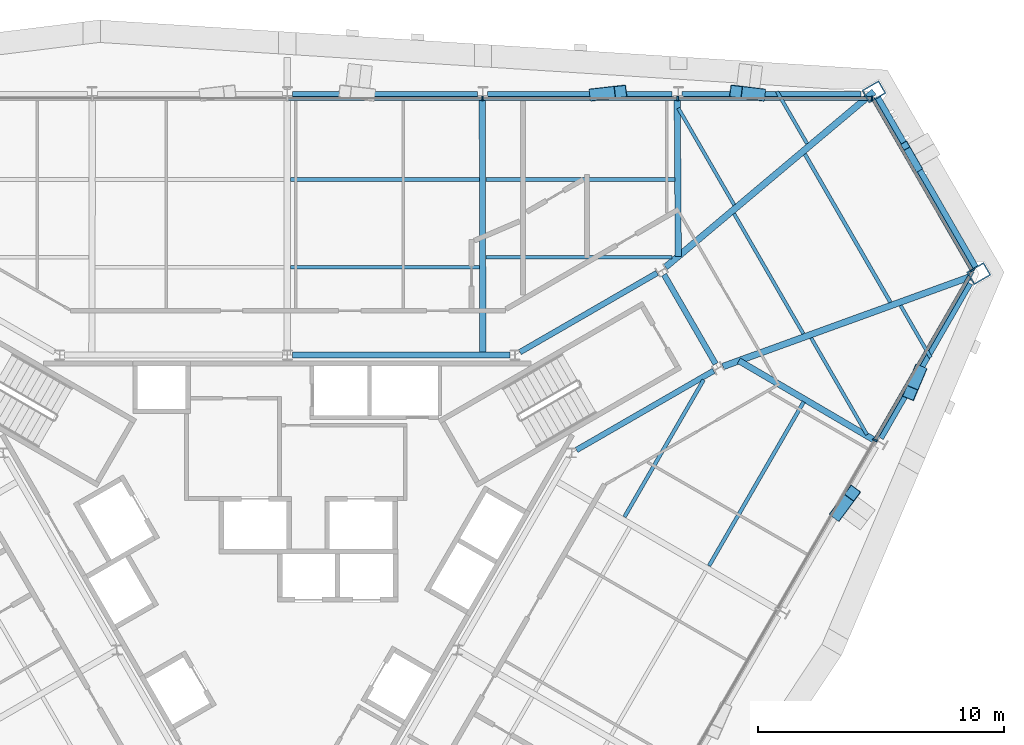
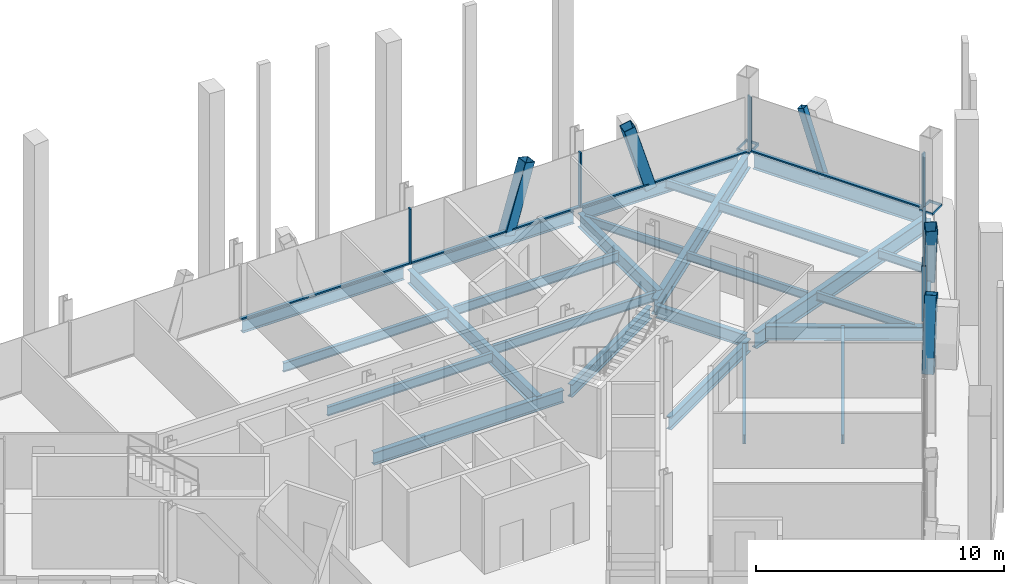
# One storey, part 8 of 15: 26 beams, 17 members, 3 elements without a shape of their own.
"""IFC4 building model written with IfcOpenShell, lengths in metres."""

from ifc_helpers import new_model, si_unit, direction, frame, origin, origin_2d, place, context, subcontext, project, spatial, rectangle, hollow_rectangle, i_section, extrude, material, material_profile, profile_set, type_object, element, aggregate, save


model = new_model("IFC4")

# Units and contexts
model_context = context("Model", 3, precision=1e-05, world=origin(), true_north=direction((0.0, 1.0)))
body_context = subcontext(model_context, "Body", "Model", "MODEL_VIEW")
ifc_project = project(units=[si_unit("LENGTHUNIT", "METRE"), si_unit("AREAUNIT", "SQUARE_METRE"), si_unit("VOLUMEUNIT", "CUBIC_METRE"), si_unit("PLANEANGLEUNIT", "RADIAN"), si_unit("MASSUNIT", "GRAM", prefix="KILO")], contexts=[model_context])

# Site, building, storey
site_placement = place(None, origin())
site = spatial("IfcSite", under=ifc_project, at=site_placement, CompositionType="ELEMENT")
building_placement = place(site_placement, origin())
building = spatial("IfcBuilding", under=site, at=building_placement, Name="Verrane Prism Tower", CompositionType="ELEMENT")
storey_placement = place(building_placement, frame((0.0, 0.0, 189.5)))
storey = spatial("IfcBuildingStorey", under=building, at=storey_placement, Name="L47", CompositionType="ELEMENT", Elevation=189.5)

# Member
ifc_material_1 = material(Name="Steel A500 Grade C", Category="steel")
ifc_material_profile_1 = material_profile(ifc_material_1, hollow_rectangle(XDim=0.3046875, YDim=0.3046875, WallThickness=0.0126953125, InnerFilletRadius=0.00634765625, OuterFilletRadius=0.01904296875, at=origin_2d()), Name="HSS12x12x1/2")
ifc_profile_set_1 = profile_set([ifc_material_profile_1], Name="Steel A500 Grade C")
member_type_1 = type_object("IfcMemberType", Name="Chamfer brace HSS12x12x1/2", PredefinedType="BRACE", material=ifc_profile_set_1)
member_1_placement = place(storey_placement, frame((25.64111328125, 15.623046875, -0.24267578125), z_axis=(-0.156499627931, 0.271375427269, 0.949664806093), x_axis=(-0.866272785837, -0.499571276714, 0.0)))
element("IfcMember", 1, at=member_1_placement, inside=storey, type_object=member_type_1, Name="Chamfer brace NE0 L47", PredefinedType="BRACE", context=body_context, shape_type="SweptSolid", body=[
    extrude(hollow_rectangle(XDim=0.3046875, YDim=0.3046875, WallThickness=0.0126953125, InnerFilletRadius=0.00634765625, OuterFilletRadius=0.01904296875, at=origin_2d()), origin(), (0.0, 0.0, 1.0), 3.27294921875),
])

# Beams
ifc_material_2 = material(Name="Steel A992", Category="steel")
ifc_material_profile_2 = material_profile(ifc_material_2, i_section(OverallWidth=0.2666015625, OverallDepth=0.7568359375, WebThickness=0.013916015625, FlangeThickness=0.019287109375, FilletRadius=0.0166015625, at=origin_2d()), Name="W30x108")
ifc_profile_set_2 = profile_set([ifc_material_profile_2], Name="Steel A992")
beam_type_1 = type_object("IfcBeamType", Name="Chamfer spandrel beam W30x108", PredefinedType="SPANDREL", material=ifc_profile_set_2)
beam_1_placement = place(storey_placement, frame((27.97998046875, 11.56982421875, -0.53857421875), z_axis=(-0.499772118917, 0.86615693102, 0.0), x_axis=(-0.86615693102, -0.499772118917, 0.0)))
element("IfcBeam", 2, at=beam_1_placement, inside=storey, type_object=beam_type_1, Name="Chamfer spandrel beam L47", PredefinedType="SPANDREL", context=body_context, shape_type="SweptSolid", body=[
    extrude(i_section(OverallWidth=0.2666015625, OverallDepth=0.7568359375, WebThickness=0.013916015625, FlangeThickness=0.019287109375, FilletRadius=0.0166015625, at=origin_2d()), origin(), (0.0, 0.0, 1.0), 7.943603515625),
])
ifc_material_3 = material(Name="Steel A992", Category="steel")
ifc_material_profile_3 = material_profile(ifc_material_3, i_section(OverallWidth=0.23046875, OverallDepth=0.6171875, WebThickness=0.01318359375, FlangeThickness=0.022216796875, FilletRadius=0.012939453125, at=origin_2d()), Name="W24x94")
ifc_profile_set_3 = profile_set([ifc_material_profile_3], Name="Steel A992")
beam_type_2 = type_object("IfcBeamType", Name="Core ring girder W24x94", PredefinedType="BEAM", material=ifc_profile_set_3)
beam_2_placement = place(storey_placement, frame((11.7607421875, 4.1357421875, -0.55859375), z_axis=(0.866075143088, 0.499913839102, 0.0), x_axis=(-0.499913839102, 0.866075143088, 0.0)))
element("IfcBeam", 3, at=beam_2_placement, inside=storey, type_object=beam_type_2, Name="Core ring girder L47", PredefinedType="BEAM", context=body_context, shape_type="SweptSolid", body=[
    extrude(i_section(OverallWidth=0.23046875, OverallDepth=0.6171875, WebThickness=0.01318359375, FlangeThickness=0.022216796875, FilletRadius=0.012939453125, at=origin_2d()), origin(), (0.0, 0.0, 1.0), 6.441650390625),
])
beam_3_placement = place(storey_placement, frame((17.418212890625, 7.635986328125, -0.55859375), z_axis=(-0.500305747711, 0.865848808284, 0.0), x_axis=(-0.865848808284, -0.500305747711, 0.0)))
element("IfcBeam", 4, at=beam_3_placement, inside=storey, type_object=beam_type_2, Name="Core ring girder L47", PredefinedType="BEAM", context=body_context, shape_type="SweptSolid", body=[
    extrude(i_section(OverallWidth=0.23046875, OverallDepth=0.6171875, WebThickness=0.01318359375, FlangeThickness=0.022216796875, FilletRadius=0.012939453125, at=origin_2d()), origin(), (0.0, 0.0, 1.0), 4.1904296875),
])
beam_4_placement = place(storey_placement, frame((15.03955078125, 11.3359375, -0.55859375), z_axis=(-0.866075143088, -0.499913839102, 0.0), x_axis=(0.499913839102, -0.866075143088, 0.0)))
element("IfcBeam", 5, at=beam_4_placement, inside=storey, type_object=beam_type_2, Name="Core ring girder L47", PredefinedType="BEAM", context=body_context, shape_type="SweptSolid", body=[
    extrude(i_section(OverallWidth=0.23046875, OverallDepth=0.6171875, WebThickness=0.01318359375, FlangeThickness=0.022216796875, FilletRadius=0.012939453125, at=origin_2d()), origin(), (0.0, 0.0, 1.0), 6.441650390625),
])
beam_5_placement = place(storey_placement, frame((9.059326171875, 8.0, -0.55859375), z_axis=(-1.0, 0.0, 0.0), x_axis=(0.0, -1.0, 0.0)))
element("IfcBeam", 6, at=beam_5_placement, inside=storey, type_object=beam_type_2, Name="Core ring girder L47", PredefinedType="BEAM", context=body_context, shape_type="SweptSolid", body=[
    extrude(i_section(OverallWidth=0.23046875, OverallDepth=0.6171875, WebThickness=0.01318359375, FlangeThickness=0.022216796875, FilletRadius=0.012939453125, at=origin_2d()), origin(), (0.0, 0.0, 1.0), 8.858642578125),
])
ifc_material_4 = material(Name="Steel A992", Category="steel")
ifc_material_profile_4 = material_profile(ifc_material_4, i_section(OverallWidth=0.2666015625, OverallDepth=0.76708984375, WebThickness=0.014892578125, FlangeThickness=0.023681640625, FilletRadius=0.0166015625, at=origin_2d()), Name="W30x124")
ifc_profile_set_4 = profile_set([ifc_material_profile_4], Name="Steel A992")
beam_type_3 = type_object("IfcBeamType", Name="Corner girder W30x124", PredefinedType="BEAM", material=ifc_profile_set_4)
beam_6_placement = place(storey_placement, frame((27.747314453125, 11.171142578125, -0.603515625), z_axis=(-0.940029060961, -0.341094363114, 0.0), x_axis=(0.341094363114, -0.940029060961, 0.0)))
element("IfcBeam", 7, at=beam_6_placement, inside=storey, type_object=beam_type_3, Name="Corner girder L47", PredefinedType="BEAM", context=body_context, shape_type="SweptSolid", body=[
    extrude(i_section(OverallWidth=0.2666015625, OverallDepth=0.76708984375, WebThickness=0.014892578125, FlangeThickness=0.023681640625, FilletRadius=0.0166015625, at=origin_2d()), origin(), (0.0, 0.0, 1.0), 10.66845703125),
])
beam_7_placement = place(storey_placement, frame((23.85791015625, 18.7080078125, -0.603515625), z_axis=(-0.765174039001, -0.643823492923, 0.0), x_axis=(0.643823492923, -0.765174039001, 0.0)))
element("IfcBeam", 8, at=beam_7_placement, inside=storey, type_object=beam_type_3, Name="Corner girder L47", PredefinedType="BEAM", context=body_context, shape_type="SweptSolid", body=[
    extrude(i_section(OverallWidth=0.2666015625, OverallDepth=0.76708984375, WebThickness=0.014892578125, FlangeThickness=0.023681640625, FilletRadius=0.0166015625, at=origin_2d()), origin(), (0.0, 0.0, 1.0), 11.077392578125),
])

# Members
ifc_material_5 = material(Name="Steel A500 Grade C", Category="steel")
ifc_material_profile_5 = material_profile(ifc_material_5, hollow_rectangle(XDim=0.508056640625, YDim=0.508056640625, WallThickness=0.01904296875, InnerFilletRadius=0.009521484375, OuterFilletRadius=0.028564453125, at=origin_2d()), Name="HSS20x20x3/4")
ifc_profile_set_5 = profile_set([ifc_material_profile_5], Name="Steel A500 Grade C")
member_type_2 = type_object("IfcMemberType", Name="Facade brace HSS20x20x3/4", PredefinedType="BRACE", material=ifc_profile_set_5)
member_2_placement = place(storey_placement, frame((19.183349609375, 18.594482421875, -0.216796875), z_axis=(-0.280675720196, 0.034654036975, 0.959176854294), x_axis=(-0.122536022817, -0.992464066409, 0.0)))
element("IfcMember", 9, at=member_2_placement, inside=storey, type_object=member_type_2, Name="Facade brace N0 L47", PredefinedType="BRACE", context=body_context, shape_type="SweptSolid", body=[
    extrude(hollow_rectangle(XDim=0.508056640625, YDim=0.508056640625, WallThickness=0.01904296875, InnerFilletRadius=0.009521484375, OuterFilletRadius=0.028564453125, at=origin_2d()), origin(), (0.0, 0.0, 1.0), 3.332275390625),
])
member_3_placement = place(storey_placement, frame((12.537841796875, 18.594482421875, -0.216796875), z_axis=(0.301395217584, 0.034426452045, 0.952877611353), x_axis=(-0.113485690745, 0.993539630813, 0.0)))
element("IfcMember", 10, at=member_3_placement, inside=storey, type_object=member_type_2, Name="Facade brace N1 L47", PredefinedType="BRACE", context=body_context, shape_type="SweptSolid", body=[
    extrude(hollow_rectangle(XDim=0.508056640625, YDim=0.508056640625, WallThickness=0.01904296875, InnerFilletRadius=0.009521484375, OuterFilletRadius=0.028564453125, at=origin_2d()), origin(), (0.0, 0.0, 1.0), 3.354248046875),
])
member_4_placement = place(storey_placement, frame((22.376220703125, 1.564453125, -0.216796875), z_axis=(0.180853734479, 0.243806845274, 0.952811706961), x_axis=(-0.803153536713, 0.595772101114, 0.0)))
element("IfcMember", 11, at=member_4_placement, inside=storey, type_object=member_type_2, Name="Facade brace SE4 L47", PredefinedType="BRACE", context=body_context, shape_type="SweptSolid", body=[
    extrude(hollow_rectangle(XDim=0.508056640625, YDim=0.508056640625, WallThickness=0.01904296875, InnerFilletRadius=0.009521484375, OuterFilletRadius=0.028564453125, at=origin_2d()), origin(), (0.0, 0.0, 1.0), 3.3544921875),
])
member_5_placement = place(storey_placement, frame((25.69677734375, 7.3203125, -0.216796875), z_axis=(-0.109755373664, -0.260467525617, 0.959223866493), x_axis=(0.921527992194, -0.388311935951, 0.0)))
element("IfcMember", 12, at=member_5_placement, inside=storey, type_object=member_type_2, Name="Facade brace SE5 L47", PredefinedType="BRACE", context=body_context, shape_type="SweptSolid", body=[
    extrude(hollow_rectangle(XDim=0.508056640625, YDim=0.508056640625, WallThickness=0.01904296875, InnerFilletRadius=0.009521484375, OuterFilletRadius=0.028564453125, at=origin_2d()), origin(), (0.0, 0.0, 1.0), 3.332275390625),
])

# Beams
ifc_material_6 = material(Name="Steel A992", Category="steel")
ifc_material_profile_6 = material_profile(ifc_material_6, i_section(OverallWidth=0.140380859375, OverallDepth=0.40380859375, WebThickness=0.007080078125, FlangeThickness=0.01123046875, FilletRadius=0.01025390625, at=origin_2d()), Name="W16x31")
ifc_profile_set_6 = profile_set([ifc_material_profile_6], Name="Steel A992")
beam_type_4 = type_object("IfcBeamType", Name="Floor beam W16x31", PredefinedType="BEAM", material=ifc_profile_set_6)
beam_8_placement = place(storey_placement, frame((21.138916015625, 16.593994140625, -0.36181640625), z_axis=(-0.500007885066, 0.866020851292, 0.0), x_axis=(-0.866020851292, -0.500007885066, 0.0)))
element("IfcBeam", 13, at=beam_8_placement, inside=storey, type_object=beam_type_4, Name="Floor beam L47", PredefinedType="BEAM", context=body_context, shape_type="SweptSolid", body=[
    extrude(i_section(OverallWidth=0.140380859375, OverallDepth=0.40380859375, WebThickness=0.007080078125, FlangeThickness=0.01123046875, FilletRadius=0.01025390625, at=origin_2d()), origin(), (0.0, 0.0, 1.0), 2.443359375),
])
beam_9_placement = place(storey_placement, frame((18.1748046875, 14.09912109375, -0.36181640625), z_axis=(-0.500029032144, 0.866008641419, 0.0), x_axis=(-0.866008641419, -0.500029032144, 0.0)))
element("IfcBeam", 14, at=beam_9_placement, inside=storey, type_object=beam_type_4, Name="Floor beam L47", PredefinedType="BEAM", context=body_context, shape_type="SweptSolid", body=[
    extrude(i_section(OverallWidth=0.140380859375, OverallDepth=0.40380859375, WebThickness=0.007080078125, FlangeThickness=0.01123046875, FilletRadius=0.01025390625, at=origin_2d()), origin(), (0.0, 0.0, 1.0), 4.549560546875),
])
beam_10_placement = place(storey_placement, frame((26.1630859375, 7.896240234375, -0.36181640625), z_axis=(-0.49999629246, 0.866027544323, 0.0), x_axis=(-0.866027544323, -0.49999629246, 0.0)))
element("IfcBeam", 15, at=beam_10_placement, inside=storey, type_object=beam_type_4, Name="Floor beam L47", PredefinedType="BEAM", context=body_context, shape_type="SweptSolid", body=[
    extrude(i_section(OverallWidth=0.140380859375, OverallDepth=0.40380859375, WebThickness=0.007080078125, FlangeThickness=0.01123046875, FilletRadius=0.01025390625, at=origin_2d()), origin(), (0.0, 0.0, 1.0), 2.44384765625),
])
beam_11_placement = place(storey_placement, frame((23.5751953125, 4.7578125, -0.36181640625), z_axis=(-0.500015373011, 0.86601652799, 0.0), x_axis=(-0.86601652799, -0.500015373011, 0.0)))
element("IfcBeam", 16, at=beam_11_placement, inside=storey, type_object=beam_type_4, Name="Floor beam L47", PredefinedType="BEAM", context=body_context, shape_type="SweptSolid", body=[
    extrude(i_section(OverallWidth=0.140380859375, OverallDepth=0.40380859375, WebThickness=0.007080078125, FlangeThickness=0.01123046875, FilletRadius=0.01025390625, at=origin_2d()), origin(), (0.0, 0.0, 1.0), 4.545166015625),
])
beam_12_placement = place(storey_placement, frame((20.986572265625, 8.86376953125, -0.36181640625), z_axis=(-0.500001171754, 0.866024727271, 0.0), x_axis=(-0.866024727271, -0.500001171754, 0.0)))
element("IfcBeam", 17, at=beam_12_placement, inside=storey, type_object=beam_type_4, Name="Floor beam L47", PredefinedType="BEAM", context=body_context, shape_type="SweptSolid", body=[
    extrude(i_section(OverallWidth=0.140380859375, OverallDepth=0.40380859375, WebThickness=0.007080078125, FlangeThickness=0.01123046875, FilletRadius=0.01025390625, at=origin_2d()), origin(), (0.0, 0.0, 1.0), 5.63623046875),
])
ifc_material_7 = material(Name="Steel A992", Category="steel")
ifc_material_profile_7 = material_profile(ifc_material_7, i_section(OverallWidth=0.15234375, OverallDepth=0.449462890625, WebThickness=0.007568359375, FlangeThickness=0.0107421875, FilletRadius=0.01025390625, at=origin_2d()), Name="W18x35")
ifc_profile_set_7 = profile_set([ifc_material_profile_7], Name="Steel A992")
beam_type_5 = type_object("IfcBeamType", Name="Floor beam W18x35", PredefinedType="BEAM", material=ifc_profile_set_7)
beam_13_placement = place(storey_placement, frame((8.076904296875, 11.969970703125, -0.384765625), z_axis=(1.0, 0.0, 0.0), x_axis=(0.0, 1.0, 0.0)))
element("IfcBeam", 18, at=beam_13_placement, inside=storey, type_object=beam_type_5, Name="Floor beam L47", PredefinedType="BEAM", context=body_context, shape_type="SweptSolid", body=[
    extrude(i_section(OverallWidth=0.15234375, OverallDepth=0.449462890625, WebThickness=0.007568359375, FlangeThickness=0.0107421875, FilletRadius=0.01025390625, at=origin_2d()), origin(), (0.0, 0.0, 1.0), 7.568115234375),
])
for number, where, z_axis, x_axis, name in (
    (19, (8.076904296875, 15.139892578125, -0.384765625), (1.0, 0.0, 0.0), (0.0, 1.0, 0.0), "Floor beam L47"),
    (20, (0.126953125, 11.570068359375, -0.384765625), (1.0, 0.0, 0.0), (0.0, 1.0, 0.0), "Floor beam L47"),
    (21, (0.126953125, 15.139892578125, -0.384765625), (1.0, 0.0, 0.0), (0.0, 1.0, 0.0), "Floor beam L47"),
):
    element("IfcBeam", number, at=place(storey_placement, frame(where, z_axis=z_axis, x_axis=x_axis)), inside=storey, type_object=beam_type_5, Name=name, PredefinedType="BEAM", context=body_context, shape_type="SweptSolid", body=[
        extrude(i_section(OverallWidth=0.15234375, OverallDepth=0.449462890625, WebThickness=0.007568359375, FlangeThickness=0.0107421875, FilletRadius=0.01025390625, at=origin_2d()), origin(), (0.0, 0.0, 1.0), 7.696044921875),
    ])
beam_14_placement = place(storey_placement, frame((17.151123046875, -0.573974609375, -0.384765625), z_axis=(0.50001143954, 0.866018799062, 0.0), x_axis=(-0.866018799062, 0.50001143954, 0.0)))
element("IfcBeam", 22, at=beam_14_placement, inside=storey, type_object=beam_type_5, Name="Floor beam L47", PredefinedType="BEAM", context=body_context, shape_type="SweptSolid", body=[
    extrude(i_section(OverallWidth=0.15234375, OverallDepth=0.449462890625, WebThickness=0.007568359375, FlangeThickness=0.0107421875, FilletRadius=0.01025390625, at=origin_2d()), origin(), (0.0, 0.0, 1.0), 7.702880859375),
])
beam_15_placement = place(storey_placement, frame((13.7109375, 1.4130859375, -0.384765625), z_axis=(0.499999433879, 0.866025730634, 0.0), x_axis=(-0.866025730634, 0.499999433879, 0.0)))
element("IfcBeam", 23, at=beam_15_placement, inside=storey, type_object=beam_type_5, Name="Floor beam L47", PredefinedType="BEAM", context=body_context, shape_type="SweptSolid", body=[
    extrude(i_section(OverallWidth=0.15234375, OverallDepth=0.449462890625, WebThickness=0.007568359375, FlangeThickness=0.0107421875, FilletRadius=0.01025390625, at=origin_2d()), origin(), (0.0, 0.0, 1.0), 6.4345703125),
])
beam_16_placement = place(storey_placement, frame((24.525390625, 10.14599609375, -0.384765625), z_axis=(-0.500009115389, 0.866020140948, 0.0), x_axis=(-0.866020140948, -0.500009115389, 0.0)))
element("IfcBeam", 24, at=beam_16_placement, inside=storey, type_object=beam_type_5, Name="Floor beam L47", PredefinedType="BEAM", context=body_context, shape_type="SweptSolid", body=[
    extrude(i_section(OverallWidth=0.15234375, OverallDepth=0.449462890625, WebThickness=0.007568359375, FlangeThickness=0.0107421875, FilletRadius=0.01025390625, at=origin_2d()), origin(), (0.0, 0.0, 1.0), 6.954345703125),
])

# Members
ifc_material_8 = material(Name="Steel A572 Grade 50", Category="steel")
ifc_material_profile_8 = material_profile(ifc_material_8, hollow_rectangle(XDim=0.60009765625, YDim=0.800048828125, WallThickness=0.050048828125, at=origin_2d()), Name="BOX 800x600x50")
ifc_profile_set_8 = profile_set([ifc_material_profile_8], Name="Steel A572 Grade 50")
member_type_3 = type_object("IfcMemberType", Name="Kink node BOX 800x600x50", PredefinedType="COLLAR", material=ifc_profile_set_8)
for number, where, z_axis, x_axis, name in (
    (25, (28.122802734375, 11.31005859375, -0.06494140625), (0.0, 0.0, 1.0), (0.5, -0.866025403784, 0.0), "Kink node MC4 L47"),
    (26, (23.8564453125, 18.703857421875, -0.06494140625), (0.0, 0.0, 1.0), (0.5, -0.866025403784, 0.0), "Kink node MC4 L47"),
):
    element("IfcMember", number, at=place(storey_placement, frame(where, z_axis=z_axis, x_axis=x_axis)), inside=storey, type_object=member_type_3, Name=name, PredefinedType="COLLAR", context=body_context, shape_type="SweptSolid", body=[
        extrude(hollow_rectangle(XDim=0.60009765625, YDim=0.800048828125, WallThickness=0.050048828125, at=origin_2d()), origin(), (0.0, 0.0, 1.0), 0.1298828125),
    ])

# Curtain wall, member
ifc_material_9 = material(Name="Aluminium framed insulated glazing", Category="aluminium")
curtain_wall_type = type_object("IfcCurtainWallType", Name="Curtain wall CW-A 8400 module", PredefinedType="NOTDEFINED", material=ifc_material_9)
curtain_wall_1_placement = place(storey_placement, origin())
curtain_wall_1 = element("IfcCurtainWall", 27, at=curtain_wall_1_placement, inside=storey, type_object=curtain_wall_type, Name="Glazed curtain wall north-east corner L47", PredefinedType="NOTDEFINED")
ifc_material_10 = material(Name="Aluminium alloy 6063-T6", Category="aluminium")
ifc_material_profile_9 = material_profile(ifc_material_10, rectangle(XDim=0.199951171875, YDim=0.070068359375, at=origin_2d()), Name="Mullion 70x200 aluminium")
ifc_profile_set_9 = profile_set([ifc_material_profile_9], Name="Aluminium alloy 6063-T6")
member_type_4 = type_object("IfcMemberType", Name="Mullion 70x200 aluminium", PredefinedType="MULLION", material=ifc_profile_set_9)
member_6_placement = place(storey_placement, frame((27.8505859375, 11.4375, 0.0), z_axis=(0.0, 0.0, 1.0), x_axis=(-0.866022763997, -0.500004572218, 0.0)))
member_6 = element("IfcMember", 28, at=member_6_placement, type_object=member_type_4, Name="CW47.1 mullion 1", PredefinedType="MULLION", context=body_context, shape_type="SweptSolid", body=[
    extrude(rectangle(XDim=0.199951171875, YDim=0.070068359375, at=origin_2d()), origin(), (0.0, 0.0, 1.0), 2.712890625),
])

# Curtain wall, members
curtain_wall_2_placement = place(storey_placement, origin())
curtain_wall_2 = element("IfcCurtainWall", 29, at=curtain_wall_2_placement, inside=storey, type_object=curtain_wall_type, Name="Glazed curtain wall north face L47", PredefinedType="NOTDEFINED")
member_7_placement = place(storey_placement, frame((23.77783203125, 18.430908203125, 0.0), z_axis=(0.0, 0.0, 1.0), x_axis=(0.0, -1.0, 0.0)))
member_7 = element("IfcMember", 30, at=member_7_placement, type_object=member_type_4, Name="CW47.2 mullion 1", PredefinedType="MULLION", context=body_context, shape_type="SweptSolid", body=[
    extrude(rectangle(XDim=0.199951171875, YDim=0.070068359375, at=origin_2d()), origin(), (0.0, 0.0, 1.0), 2.712890625),
])
member_8_placement = place(storey_placement, frame((15.875244140625, 18.430908203125, 0.0), z_axis=(0.0, 0.0, 1.0), x_axis=(0.0, -1.0, 0.0)))
member_8 = element("IfcMember", 31, at=member_8_placement, type_object=member_type_4, Name="CW47.2 mullion 2", PredefinedType="MULLION", context=body_context, shape_type="SweptSolid", body=[
    extrude(rectangle(XDim=0.199951171875, YDim=0.070068359375, at=origin_2d()), origin(), (0.0, 0.0, 1.0), 2.712890625),
])
member_9_placement = place(storey_placement, frame((7.937744140625, 18.430908203125, 0.0), z_axis=(0.0, 0.0, 1.0), x_axis=(0.0, -1.0, 0.0)))
member_9 = element("IfcMember", 32, at=member_9_placement, type_object=member_type_4, Name="CW47.2 mullion 3", PredefinedType="MULLION", context=body_context, shape_type="SweptSolid", body=[
    extrude(rectangle(XDim=0.199951171875, YDim=0.070068359375, at=origin_2d()), origin(), (0.0, 0.0, 1.0), 2.712890625),
])

# Curtain wall, member
curtain_wall_3_placement = place(storey_placement, origin())
curtain_wall_3 = element("IfcCurtainWall", 33, at=curtain_wall_3_placement, inside=storey, type_object=curtain_wall_type, Name="Glazed curtain wall south-east face L47", PredefinedType="NOTDEFINED")
member_10_placement = place(storey_placement, frame((23.8994140625, 4.532958984375, 0.0), z_axis=(0.0, 0.0, 1.0), x_axis=(-0.866025652206, 0.499999569721, 0.0)))
member_10 = element("IfcMember", 34, at=member_10_placement, type_object=member_type_4, Name="CW47.6 mullion 6", PredefinedType="MULLION", context=body_context, shape_type="SweptSolid", body=[
    extrude(rectangle(XDim=0.199951171875, YDim=0.070068359375, at=origin_2d()), origin(), (0.0, 0.0, 1.0), 2.712890625),
])

# Beams
ifc_material_11 = material(Name="Steel A992", Category="steel")
ifc_material_profile_10 = material_profile(ifc_material_11, i_section(OverallWidth=0.25390625, OverallDepth=0.683349609375, WebThickness=0.012451171875, FlangeThickness=0.01904296875, FilletRadius=0.01513671875, at=origin_2d()), Name="W27x94")
ifc_profile_set_10 = profile_set([ifc_material_profile_10], Name="Steel A992")
beam_type_6 = type_object("IfcBeamType", Name="Radial girder W27x94", PredefinedType="BEAM", material=ifc_profile_set_10)
beam_17_placement = place(storey_placement, frame((15.85693359375, 18.38623046875, -0.5615234375), z_axis=(0.006741075573, -0.999977278692, 0.0), x_axis=(0.999977278692, 0.006741075573, 0.0)))
element("IfcBeam", 35, at=beam_17_placement, inside=storey, type_object=beam_type_6, Name="Radial girder L47", PredefinedType="BEAM", context=body_context, shape_type="SweptSolid", body=[
    extrude(i_section(OverallWidth=0.25390625, OverallDepth=0.683349609375, WebThickness=0.012451171875, FlangeThickness=0.01904296875, FilletRadius=0.01513671875, at=origin_2d()), origin(), (0.0, 0.0, 1.0), 6.374267578125),
])
beam_18_placement = place(storey_placement, frame((7.928955078125, 18.38623046875, -0.5615234375), z_axis=(0.002021527532, -0.999997956711, 0.0), x_axis=(0.999997956711, 0.002021527532, 0.0)))
element("IfcBeam", 36, at=beam_18_placement, inside=storey, type_object=beam_type_6, Name="Radial girder L47", PredefinedType="BEAM", context=body_context, shape_type="SweptSolid", body=[
    extrude(i_section(OverallWidth=0.25390625, OverallDepth=0.683349609375, WebThickness=0.012451171875, FlangeThickness=0.01904296875, FilletRadius=0.01513671875, at=origin_2d()), origin(), (0.0, 0.0, 1.0), 10.38623046875),
])
beam_19_placement = place(storey_placement, frame((23.856689453125, 4.545166015625, -0.5615234375), z_axis=(-0.862605664838, 0.505876928699, 0.0), x_axis=(-0.505876928699, -0.862605664838, 0.0)))
element("IfcBeam", 37, at=beam_19_placement, inside=storey, type_object=beam_type_6, Name="Radial girder L47", PredefinedType="BEAM", context=body_context, shape_type="SweptSolid", body=[
    extrude(i_section(OverallWidth=0.25390625, OverallDepth=0.683349609375, WebThickness=0.012451171875, FlangeThickness=0.01904296875, FilletRadius=0.01513671875, at=origin_2d()), origin(), (0.0, 0.0, 1.0), 6.367431640625),
])
ifc_material_12 = material(Name="Steel A992", Category="steel")
ifc_material_profile_11 = material_profile(ifc_material_12, i_section(OverallWidth=0.23046875, OverallDepth=0.6171875, WebThickness=0.01318359375, FlangeThickness=0.022216796875, FilletRadius=0.012939453125, at=origin_2d()), Name="W24x94")
ifc_profile_set_11 = profile_set([ifc_material_profile_11], Name="Steel A992")
beam_type_7 = type_object("IfcBeamType", Name="Spandrel beam W24x94", PredefinedType="SPANDREL", material=ifc_profile_set_11)
beam_20_placement = place(storey_placement, frame((23.33056640625, 18.594482421875, -0.468505859375), z_axis=(-1.0, 0.0, 0.0), x_axis=(0.0, -1.0, 0.0)))
element("IfcBeam", 38, at=beam_20_placement, inside=storey, type_object=beam_type_7, Name="Spandrel beam L47", PredefinedType="SPANDREL", context=body_context, shape_type="SweptSolid", body=[
    extrude(i_section(OverallWidth=0.23046875, OverallDepth=0.6171875, WebThickness=0.01318359375, FlangeThickness=0.022216796875, FilletRadius=0.012939453125, at=origin_2d()), origin(), (0.0, 0.0, 1.0), 7.27197265625),
])
beam_21_placement = place(storey_placement, frame((15.65234375, 18.594482421875, -0.468505859375), z_axis=(-1.0, 0.0, 0.0), x_axis=(0.0, -1.0, 0.0)))
element("IfcBeam", 39, at=beam_21_placement, inside=storey, type_object=beam_type_7, Name="Spandrel beam L47", PredefinedType="SPANDREL", context=body_context, shape_type="SweptSolid", body=[
    extrude(i_section(OverallWidth=0.23046875, OverallDepth=0.6171875, WebThickness=0.01318359375, FlangeThickness=0.022216796875, FilletRadius=0.012939453125, at=origin_2d()), origin(), (0.0, 0.0, 1.0), 7.5205078125),
])
beam_22_placement = place(storey_placement, frame((7.725341796875, 18.594482421875, -0.468505859375), z_axis=(-1.0, 0.0, 0.0), x_axis=(0.0, -1.0, 0.0)))
element("IfcBeam", 40, at=beam_22_placement, inside=storey, type_object=beam_type_7, Name="Spandrel beam L47", PredefinedType="SPANDREL", context=body_context, shape_type="SweptSolid", body=[
    extrude(i_section(OverallWidth=0.23046875, OverallDepth=0.6171875, WebThickness=0.01318359375, FlangeThickness=0.022216796875, FilletRadius=0.012939453125, at=origin_2d()), origin(), (0.0, 0.0, 1.0), 7.522216796875),
])
beam_23_placement = place(storey_placement, frame((24.1376953125, 4.61572265625, -0.468505859375), z_axis=(0.499392693065, 0.866375748803, 0.0), x_axis=(-0.866375748803, 0.499392693065, 0.0)))
element("IfcBeam", 41, at=beam_23_placement, inside=storey, type_object=beam_type_7, Name="Spandrel beam L47", PredefinedType="SPANDREL", context=body_context, shape_type="SweptSolid", body=[
    extrude(i_section(OverallWidth=0.23046875, OverallDepth=0.6171875, WebThickness=0.01318359375, FlangeThickness=0.022216796875, FilletRadius=0.012939453125, at=origin_2d()), origin(), (0.0, 0.0, 1.0), 7.2646484375),
])

# Member
ifc_material_13 = material(Name="Aluminium alloy 6063-T6", Category="aluminium")
ifc_material_profile_12 = material_profile(ifc_material_13, rectangle(XDim=0.14990234375, YDim=0.070068359375, at=origin_2d()), Name="Transom 70x150 aluminium")
ifc_profile_set_12 = profile_set([ifc_material_profile_12], Name="Aluminium alloy 6063-T6")
member_type_5 = type_object("IfcMemberType", Name="Transom 70x150 aluminium", PredefinedType="USERDEFINED", material=ifc_profile_set_12)
member_11_placement = place(storey_placement, frame((27.833251953125, 11.4677734375, 0.034912109375), z_axis=(-0.500008949224, 0.866020236886, 0.0), x_axis=(-0.866020236886, -0.500008949224, 0.0)))
member_11 = element("IfcMember", 42, at=member_11_placement, type_object=member_type_5, Name="CW47.1 transom 1", ObjectType="TRANSOM", PredefinedType="USERDEFINED", context=body_context, shape_type="SweptSolid", body=[
    extrude(rectangle(XDim=0.14990234375, YDim=0.070068359375, at=origin_2d()), origin(), (0.0, 0.0, 1.0), 8.040283203125),
])

aggregate(curtain_wall_1, [member_6, member_11])

member_12_placement = place(storey_placement, frame((23.742919921875, 18.430908203125, 0.034912109375), z_axis=(-1.0, 0.0, 0.0), x_axis=(0.0, -1.0, 0.0)))
member_12 = element("IfcMember", 43, at=member_12_placement, type_object=member_type_5, Name="CW47.2 transom 1", ObjectType="TRANSOM", PredefinedType="USERDEFINED", context=body_context, shape_type="SweptSolid", body=[
    extrude(rectangle(XDim=0.14990234375, YDim=0.070068359375, at=origin_2d()), origin(), (0.0, 0.0, 1.0), 7.832763671875),
])

member_13_placement = place(storey_placement, frame((15.84033203125, 18.430908203125, 0.034912109375), z_axis=(-1.0, 0.0, 0.0), x_axis=(0.0, -1.0, 0.0)))
member_13 = element("IfcMember", 44, at=member_13_placement, type_object=member_type_5, Name="CW47.2 transom 2", ObjectType="TRANSOM", PredefinedType="USERDEFINED", context=body_context, shape_type="SweptSolid", body=[
    extrude(rectangle(XDim=0.14990234375, YDim=0.070068359375, at=origin_2d()), origin(), (0.0, 0.0, 1.0), 7.86767578125),
])

member_14_placement = place(storey_placement, frame((7.902587890625, 18.430908203125, 0.034912109375), z_axis=(-1.0, 0.0, 0.0), x_axis=(0.0, -1.0, 0.0)))
member_14 = element("IfcMember", 45, at=member_14_placement, type_object=member_type_5, Name="CW47.2 transom 3", ObjectType="TRANSOM", PredefinedType="USERDEFINED", context=body_context, shape_type="SweptSolid", body=[
    extrude(rectangle(XDim=0.14990234375, YDim=0.070068359375, at=origin_2d()), origin(), (0.0, 0.0, 1.0), 7.86767578125),
])

aggregate(curtain_wall_2, [member_7, member_8, member_9, member_12, member_13, member_14])

member_15_placement = place(storey_placement, frame((23.9169921875, 4.563232421875, 0.034912109375), z_axis=(0.499993448556, 0.866029186229, 0.0), x_axis=(-0.866029186229, 0.499993448556, 0.0)))
member_15 = element("IfcMember", 46, at=member_15_placement, type_object=member_type_5, Name="CW47.6 transom 6", ObjectType="TRANSOM", PredefinedType="USERDEFINED", context=body_context, shape_type="SweptSolid", body=[
    extrude(rectangle(XDim=0.14990234375, YDim=0.070068359375, at=origin_2d()), origin(), (0.0, 0.0, 1.0), 7.90234375),
])

aggregate(curtain_wall_3, [member_10, member_15])

save(model, "model.ifc")
